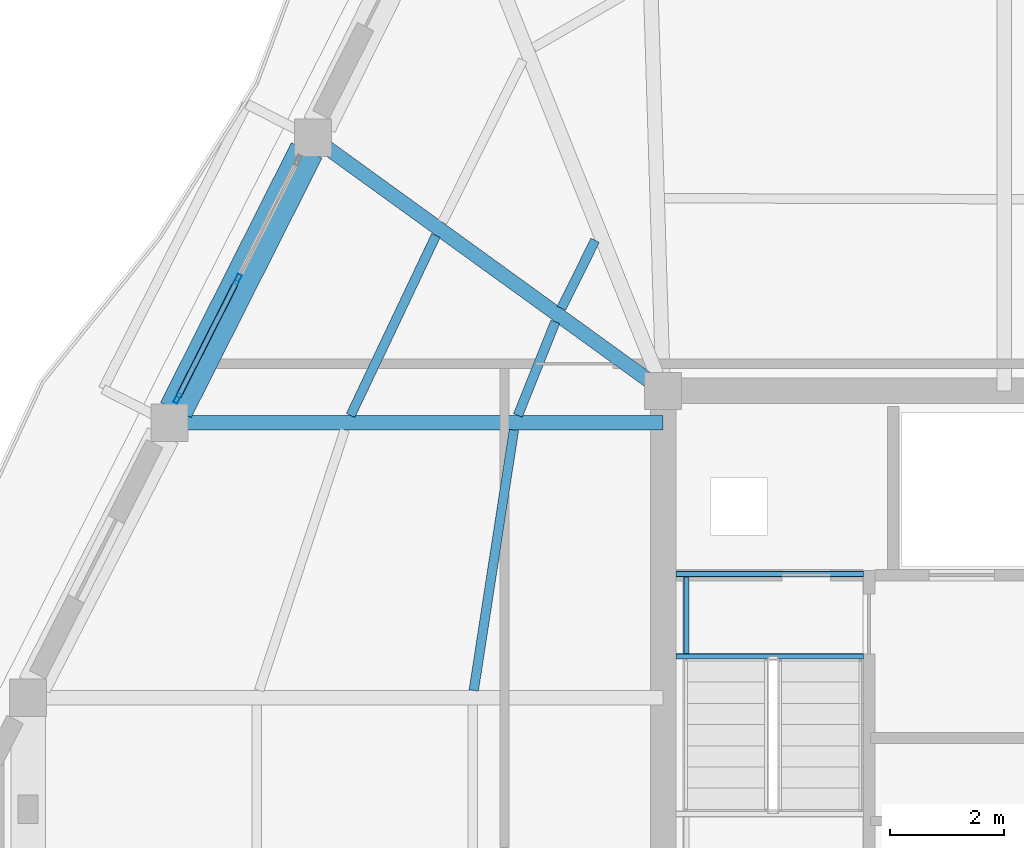
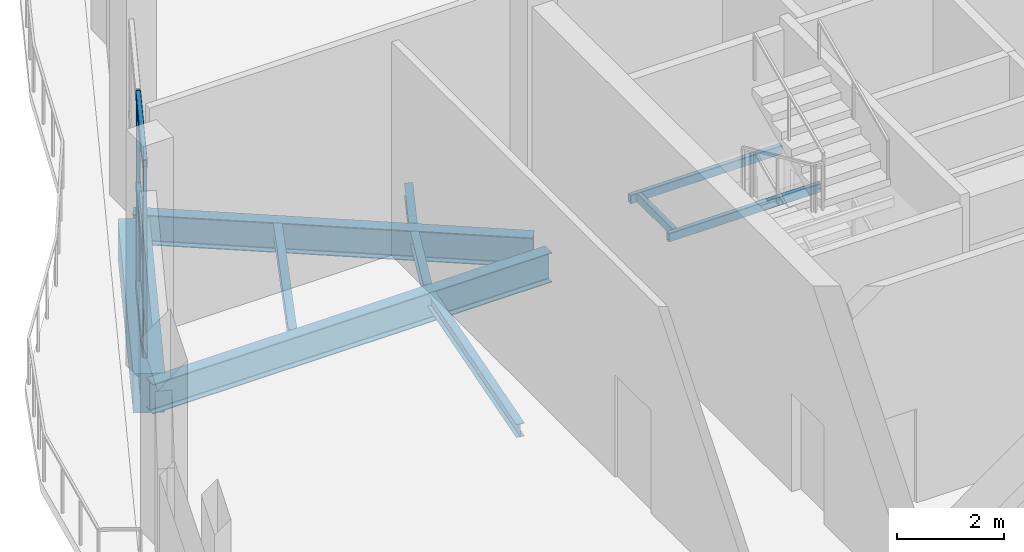
# One storey, part 8 of 23: 10 beams, 5 members, 1 element without a shape of its own.
"""IFC4 building model written with IfcOpenShell, lengths in metres."""

from ifc_helpers import new_model, si_unit, direction, frame, origin, origin_2d, place, context, subcontext, project, spatial, rectangle, hollow_rectangle, i_section, extrude, material, layer, layer_set, material_profile, profile_set, type_object, element, aggregate, save


model = new_model("IFC4")

# Units and contexts
model_context = context("Model", 3, precision=1e-05, world=origin(), true_north=direction((0.0, 1.0)))
body_context = subcontext(model_context, "Body", "Model", "MODEL_VIEW")
ifc_project = project(units=[si_unit("LENGTHUNIT", "METRE"), si_unit("AREAUNIT", "SQUARE_METRE"), si_unit("VOLUMEUNIT", "CUBIC_METRE"), si_unit("PLANEANGLEUNIT", "RADIAN"), si_unit("MASSUNIT", "GRAM", prefix="KILO")], contexts=[model_context])

# Site, building, storey
site_placement = place(None, origin())
site = spatial("IfcSite", under=ifc_project, at=site_placement, CompositionType="ELEMENT")
building_placement = place(site_placement, origin())
building = spatial("IfcBuilding", under=site, at=building_placement, Name="Cinnabar Lancet Tower", CompositionType="ELEMENT")
storey_placement = place(building_placement, frame((0.0, 0.0, 278.10009765625)))
storey = spatial("IfcBuildingStorey", under=building, at=storey_placement, Name="L74", CompositionType="ELEMENT", Elevation=278.10009765625)

# Curtain wall, members
ifc_material_1 = material(Name="Thermally broken bronze-anodized aluminium and low-E glass", Category="aluminium")
ifc_layer = layer(ifc_material_1, 0.179931640625)
ifc_layer_set = layer_set([ifc_layer], Name="Thermally broken bronze-anodized aluminium and low-E glass")
curtain_wall_type = type_object("IfcCurtainWallType", Name="ENV-CW-SYS-04", PredefinedType="NOTDEFINED", material=ifc_layer_set)
curtain_wall_placement = place(storey_placement, origin())
curtain_wall = element("IfcCurtainWall", 1, at=curtain_wall_placement, inside=storey, type_object=curtain_wall_type, Name="L74 Face 5 Feature Curtain Wall", PredefinedType="NOTDEFINED")
ifc_material_2 = material(Name="Anodized architectural aluminium 6063-T6", Category="aluminium")
ifc_material_profile_1 = material_profile(ifc_material_2, hollow_rectangle(XDim=0.074951171875, YDim=0.179931640625, WallThickness=0.00390625, InnerFilletRadius=0.001953125, OuterFilletRadius=0.006103515625, at=origin_2d()), Name="CW-MUL 180x75x4")
ifc_profile_set_1 = profile_set([ifc_material_profile_1], Name="Anodized architectural aluminium 6063-T6")
member_type_1 = type_object("IfcMemberType", Name="ENV-CW-MUL-180", PredefinedType="MULLION", material=ifc_profile_set_1)
member_1_placement = place(storey_placement, frame((15.73095703125, 35.077392578125, 0.0), z_axis=(0.0, 0.0, 1.0), x_axis=(0.892344822897, -0.451354314314, 0.0)))
member_1 = element("IfcMember", 2, at=member_1_placement, type_object=member_type_1, Name="CW-04 mullion 2", PredefinedType="MULLION", context=body_context, shape_type="SweptSolid", body=[
    extrude(hollow_rectangle(XDim=0.074951171875, YDim=0.179931640625, WallThickness=0.00390625, InnerFilletRadius=0.001953125, OuterFilletRadius=0.006103515625, at=origin_2d()), origin(), (0.0, 0.0, 1.0), 4.389892578125),
])
member_2_placement = place(storey_placement, frame((14.677490234375, 32.994873046875, 0.0), z_axis=(0.0, 0.0, 1.0), x_axis=(0.892344822897, -0.451354314314, 0.0)))
member_2 = element("IfcMember", 3, at=member_2_placement, type_object=member_type_1, Name="CW-04 mullion 3", PredefinedType="MULLION", context=body_context, shape_type="SweptSolid", body=[
    extrude(hollow_rectangle(XDim=0.074951171875, YDim=0.179931640625, WallThickness=0.00390625, InnerFilletRadius=0.001953125, OuterFilletRadius=0.006103515625, at=origin_2d()), origin(), (0.0, 0.0, 1.0), 4.389892578125),
])
ifc_material_3 = material(Name="Anodized architectural aluminium 6063-T6", Category="aluminium")
ifc_material_profile_2 = material_profile(ifc_material_3, hollow_rectangle(XDim=0.10009765625, YDim=0.199951171875, WallThickness=0.008056640625, InnerFilletRadius=0.00390625, OuterFilletRadius=0.011962890625, at=origin_2d()), Name="RHS 200x100x8")
ifc_profile_set_2 = profile_set([ifc_material_profile_2], Name="Anodized architectural aluminium 6063-T6")
member_type_2 = type_object("IfcMemberType", Name="ENV-CW-TRN-140", PredefinedType="USERDEFINED", material=ifc_profile_set_2)
member_3_placement = place(storey_placement, frame((15.717529296875, 35.05078125, 0.02978515625), z_axis=(-0.451331377237, -0.892356424262, 0.0), x_axis=(0.892356424262, -0.451331377237, 0.0)))
member_3 = element("IfcMember", 4, at=member_3_placement, type_object=member_type_2, Name="CW-04 transom 2.1", ObjectType="TRANSOM", PredefinedType="USERDEFINED", context=body_context, shape_type="SweptSolid", body=[
    extrude(hollow_rectangle(XDim=0.10009765625, YDim=0.199951171875, WallThickness=0.008056640625, InnerFilletRadius=0.00390625, OuterFilletRadius=0.011962890625, at=origin_2d()), origin(), (0.0, 0.0, 1.0), 2.274169921875),
])
member_4_placement = place(storey_placement, frame((15.717529296875, 35.05078125, 2.282958984375), z_axis=(-0.451331377237, -0.892356424262, 0.0), x_axis=(0.892356424262, -0.451331377237, 0.0)))
member_4 = element("IfcMember", 5, at=member_4_placement, type_object=member_type_2, Name="CW-04 transom 2.2", ObjectType="TRANSOM", PredefinedType="USERDEFINED", context=body_context, shape_type="SweptSolid", body=[
    extrude(hollow_rectangle(XDim=0.10009765625, YDim=0.199951171875, WallThickness=0.008056640625, InnerFilletRadius=0.00390625, OuterFilletRadius=0.011962890625, at=origin_2d()), origin(), (0.0, 0.0, 1.0), 2.274169921875),
])
member_5_placement = place(storey_placement, frame((15.717529296875, 35.05078125, 4.35986328125), z_axis=(-0.451331377237, -0.892356424262, 0.0), x_axis=(0.892356424262, -0.451331377237, 0.0)))
member_5 = element("IfcMember", 6, at=member_5_placement, type_object=member_type_2, Name="CW-04 transom 2.3", ObjectType="TRANSOM", PredefinedType="USERDEFINED", context=body_context, shape_type="SweptSolid", body=[
    extrude(hollow_rectangle(XDim=0.10009765625, YDim=0.199951171875, WallThickness=0.008056640625, InnerFilletRadius=0.00390625, OuterFilletRadius=0.011962890625, at=origin_2d()), origin(), (0.0, 0.0, 1.0), 2.274169921875),
])
aggregate(curtain_wall, [member_1, member_2, member_3, member_4, member_5])

# Beams
ifc_material_4 = material(Name="Structural steel S355", Category="steel")
ifc_material_profile_3 = material_profile(ifc_material_4, i_section(OverallWidth=0.1650390625, OverallDepth=0.303466796875, WebThickness=0.006103515625, FlangeThickness=0.01025390625, FilletRadius=0.0087890625, at=origin_2d()), Name="UKB 305x165x40")
ifc_profile_set_3 = profile_set([ifc_material_profile_3], Name="Structural steel S355")
beam_type_1 = type_object("IfcBeamType", Name="STR-BM-JST-305", PredefinedType="JOIST", material=ifc_profile_set_3)
beam_1_placement = place(storey_placement, frame((21.985107421875, 35.758056640625, -0.43212890625), z_axis=(-0.444563017627, -0.895747577925, 0.0), x_axis=(0.895747577925, -0.444563017627, 0.0)))
element("IfcBeam", 7, at=beam_1_placement, inside=storey, type_object=beam_type_1, Name="L74 Secondary Floor Joist 38", PredefinedType="JOIST", context=body_context, shape_type="SweptSolid", body=[
    extrude(i_section(OverallWidth=0.1650390625, OverallDepth=0.303466796875, WebThickness=0.006103515625, FlangeThickness=0.01025390625, FilletRadius=0.0087890625, at=origin_2d()), origin(), (0.0, 0.0, 1.0), 1.327392578125),
])
beam_2_placement = place(storey_placement, frame((19.199951171875, 35.843017578125, -0.43212890625), z_axis=(-0.4286252598, -0.903482366547, 0.0), x_axis=(0.903482366547, -0.4286252598, 0.0)))
element("IfcBeam", 8, at=beam_2_placement, inside=storey, type_object=beam_type_1, Name="L74 Secondary Floor Joist 39", PredefinedType="JOIST", context=body_context, shape_type="SweptSolid", body=[
    extrude(i_section(OverallWidth=0.1650390625, OverallDepth=0.303466796875, WebThickness=0.006103515625, FlangeThickness=0.01025390625, FilletRadius=0.0087890625, at=origin_2d()), origin(), (0.0, 0.0, 1.0), 3.4853515625),
])
beam_3_placement = place(storey_placement, frame((21.2890625, 34.33203125, -0.43212890625), z_axis=(-0.371319090607, -0.928505321983, 0.0), x_axis=(0.928505321983, -0.371319090607, 0.0)))
element("IfcBeam", 9, at=beam_3_placement, inside=storey, type_object=beam_type_1, Name="L74 Secondary Floor Joist 40", PredefinedType="JOIST", context=body_context, shape_type="SweptSolid", body=[
    extrude(i_section(OverallWidth=0.1650390625, OverallDepth=0.303466796875, WebThickness=0.006103515625, FlangeThickness=0.01025390625, FilletRadius=0.0087890625, at=origin_2d()), origin(), (0.0, 0.0, 1.0), 1.76416015625),
])
beam_4_placement = place(storey_placement, frame((20.56396484375, 32.43994140625, -0.43212890625), z_axis=(-0.152411222819, -0.988317165266, 0.0), x_axis=(0.988317165266, -0.152411222819, 0.0)))
element("IfcBeam", 10, at=beam_4_placement, inside=storey, type_object=beam_type_1, Name="L74 Secondary Floor Joist 42", PredefinedType="JOIST", context=body_context, shape_type="SweptSolid", body=[
    extrude(i_section(OverallWidth=0.1650390625, OverallDepth=0.303466796875, WebThickness=0.006103515625, FlangeThickness=0.01025390625, FilletRadius=0.0087890625, at=origin_2d()), origin(), (0.0, 0.0, 1.0), 4.61181640625),
])
ifc_material_5 = material(Name="Structural steel S355", Category="steel")
ifc_material_profile_4 = material_profile(ifc_material_5, hollow_rectangle(XDim=0.10009765625, YDim=0.199951171875, WallThickness=0.008056640625, InnerFilletRadius=0.00390625, OuterFilletRadius=0.011962890625, at=origin_2d()), Name="RHS 200x100x8")
ifc_profile_set_4 = profile_set([ifc_material_profile_4], Name="Structural steel S355")
beam_type_2 = type_object("IfcBeamType", Name="STR-BM-LND-203", PredefinedType="BEAM", material=ifc_profile_set_4)
for number, where, z_axis, x_axis, name in (
    (11, (23.39990234375, 28.47998046875, 2.39990234375), (1.0, 0.0, 0.0), (0.0, 1.0, 0.0), "L74 ST-1-L74 Landing Support Beam S"),
    (12, (23.39990234375, 29.919921875, 2.39990234375), (1.0, 0.0, 0.0), (0.0, 1.0, 0.0), "L74 ST-1-L74 Landing Support Beam N"),
):
    element("IfcBeam", number, at=place(storey_placement, frame(where, z_axis=z_axis, x_axis=x_axis)), inside=storey, type_object=beam_type_2, Name=name, PredefinedType="BEAM", context=body_context, shape_type="SweptSolid", body=[
        extrude(hollow_rectangle(XDim=0.10009765625, YDim=0.199951171875, WallThickness=0.008056640625, InnerFilletRadius=0.00390625, OuterFilletRadius=0.011962890625, at=origin_2d()), origin(), (0.0, 0.0, 1.0), 3.280029296875),
    ])
beam_5_placement = place(storey_placement, frame((23.580078125, 28.530029296875, 2.39990234375), z_axis=(0.0, 1.0, 0.0), x_axis=(-1.0, 0.0, 0.0)))
element("IfcBeam", 13, at=beam_5_placement, inside=storey, type_object=beam_type_2, Name="L74 ST-1-L74 Landing Side Trimmer Beam", PredefinedType="BEAM", context=body_context, shape_type="SweptSolid", body=[
    extrude(hollow_rectangle(XDim=0.10009765625, YDim=0.199951171875, WallThickness=0.008056640625, InnerFilletRadius=0.00390625, OuterFilletRadius=0.011962890625, at=origin_2d()), origin(), (0.0, 0.0, 1.0), 1.340087890625),
])
ifc_material_6 = material(Name="Concrete C60/75", Category="concrete")
ifc_material_profile_5 = material_profile(ifc_material_6, rectangle(XDim=0.60009765625, YDim=0.89990234375, at=origin_2d()), Name="RC-SB 600x900")
ifc_profile_set_5 = profile_set([ifc_material_profile_5], Name="Concrete C60/75")
beam_type_3 = type_object("IfcBeamType", Name="STR-BM-RCSB-900", PredefinedType="SPANDREL", material=ifc_profile_set_5)
beam_6_placement = place(storey_placement, frame((16.93798828125, 37.3310546875, -0.72998046875), z_axis=(-0.450130146726, -0.892962961722, 0.0), x_axis=(0.892962961722, -0.450130146726, 0.0)))
element("IfcBeam", 14, at=beam_6_placement, inside=storey, type_object=beam_type_3, Name="L74 Perimeter Spandrel 18", PredefinedType="SPANDREL", context=body_context, shape_type="SweptSolid", body=[
    extrude(rectangle(XDim=0.60009765625, YDim=0.89990234375, at=origin_2d()), origin(), (0.0, 0.0, 1.0), 5.08544921875),
])
ifc_material_7 = material(Name="Structural steel S355", Category="steel")
ifc_material_profile_6 = material_profile(ifc_material_7, i_section(OverallWidth=0.253662109375, OverallDepth=0.68359375, WebThickness=0.012451171875, FlangeThickness=0.01904296875, FilletRadius=0.01513671875, at=origin_2d()), Name="UKB 686x254x140")
ifc_profile_set_6 = profile_set([ifc_material_profile_6], Name="Structural steel S355")
beam_type_4 = type_object("IfcBeamType", Name="STR-BM-UKB686-140", PredefinedType="BEAM", material=ifc_profile_set_6)
beam_7_placement = place(storey_placement, frame((17.051025390625, 37.553955078125, -0.6220703125), z_axis=(0.810299148474, -0.586016458797, 0.0), x_axis=(0.586016458797, 0.810299148474, 0.0)))
element("IfcBeam", 15, at=beam_7_placement, inside=storey, type_object=beam_type_4, Name="L74 Corner Collector Girder 4", PredefinedType="BEAM", context=body_context, shape_type="SweptSolid", body=[
    extrude(i_section(OverallWidth=0.253662109375, OverallDepth=0.68359375, WebThickness=0.012451171875, FlangeThickness=0.01904296875, FilletRadius=0.01513671875, at=origin_2d()), origin(), (0.0, 0.0, 1.0), 7.5576171875),
])
beam_8_placement = place(storey_placement, frame((14.535888671875, 32.56689453125, -0.6220703125), z_axis=(1.0, 0.0, 0.0), x_axis=(0.0, 1.0, 0.0)))
element("IfcBeam", 16, at=beam_8_placement, inside=storey, type_object=beam_type_4, Name="L74 Primary Floor Girder 19", PredefinedType="BEAM", context=body_context, shape_type="SweptSolid", body=[
    extrude(i_section(OverallWidth=0.253662109375, OverallDepth=0.68359375, WebThickness=0.012451171875, FlangeThickness=0.01904296875, FilletRadius=0.01513671875, at=origin_2d()), origin(), (0.0, 0.0, 1.0), 8.63916015625),
])

save(model, "model.ifc")
